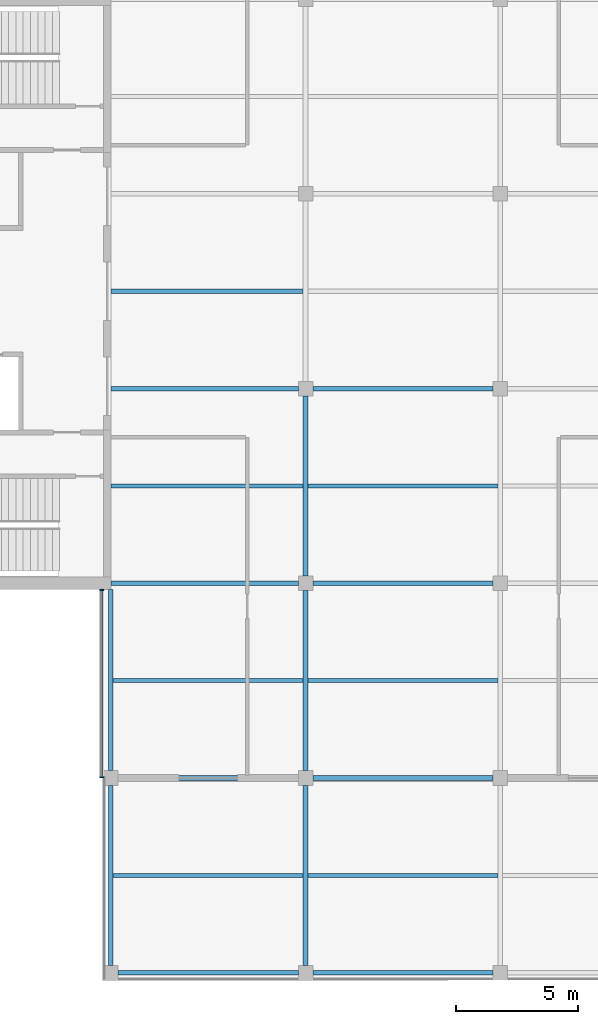
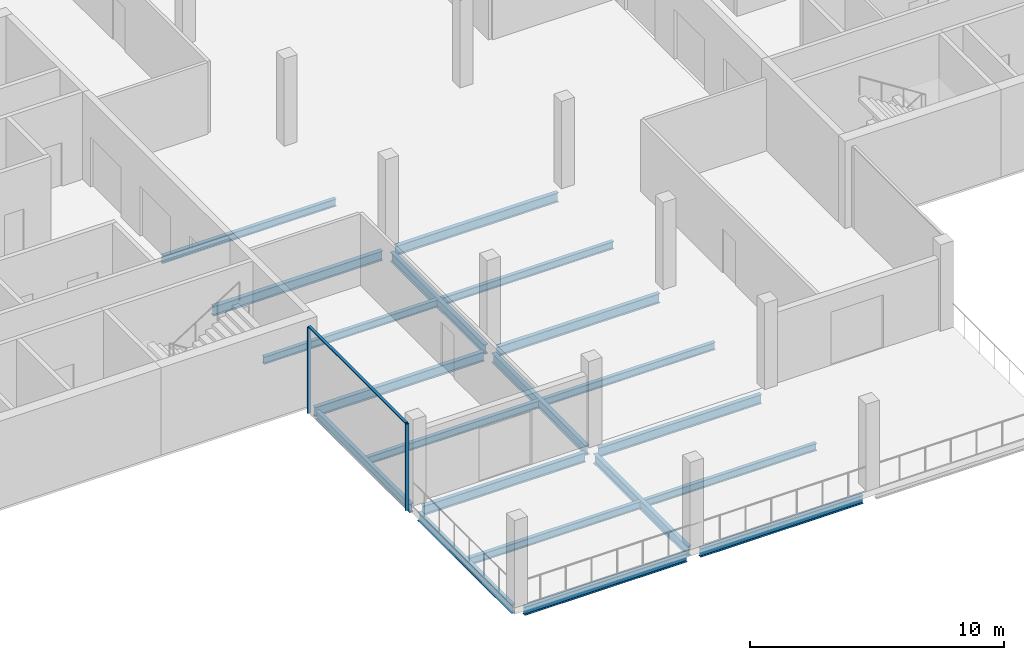
# One storey, part 2 of 12: 20 beams, 3 members, 1 element without a shape of its own.
"""IFC4 building model written with IfcOpenShell, lengths in metres."""

from ifc_helpers import new_model, si_unit, direction, frame, origin, origin_2d, place, context, subcontext, project, spatial, rectangle, i_section, extrude, material, material_profile, profile_set, type_object, element, aggregate, save


model = new_model("IFC4")

# Units and contexts
model_context = context("Model", 3, precision=1e-05, world=origin(), true_north=direction((0.0, 1.0)))
body_context = subcontext(model_context, "Body", "Model", "MODEL_VIEW")
ifc_project = project(units=[si_unit("LENGTHUNIT", "METRE"), si_unit("AREAUNIT", "SQUARE_METRE"), si_unit("VOLUMEUNIT", "CUBIC_METRE"), si_unit("PLANEANGLEUNIT", "RADIAN"), si_unit("MASSUNIT", "GRAM", prefix="KILO")], contexts=[model_context])

# Site, building, storey
site_placement = place(None, origin())
site = spatial("IfcSite", under=ifc_project, at=site_placement, CompositionType="ELEMENT")
building_placement = place(site_placement, origin())
building = spatial("IfcBuilding", under=site, at=building_placement, Name="Crosswind Convention Tower", CompositionType="ELEMENT")
storey_placement = place(building_placement, frame((0.0, 0.0, 323.89990234375)))
storey = spatial("IfcBuildingStorey", under=building, at=storey_placement, Name="L70", CompositionType="ELEMENT", Elevation=323.89990234375)

# Beams
ifc_material_1 = material(Name="Steel S355", Category="steel")
ifc_material_profile_1 = material_profile(ifc_material_1, i_section(OverallWidth=0.177734375, OverallDepth=0.406494140625, WebThickness=0.0078125, FlangeThickness=0.0126953125, FilletRadius=0.01025390625, at=origin_2d()), Name="UB 406x178x60")
ifc_profile_set_1 = profile_set([ifc_material_profile_1], Name="Steel S355")
beam_type_1 = type_object("IfcBeamType", Name="Edge beam UB 406x178x60", PredefinedType="SPANDREL", material=ifc_profile_set_1)
beam_1_placement = place(storey_placement, frame((113.0, 72.300048828125, -0.503173828125), z_axis=(0.0, 1.0, 0.0), x_axis=(-1.0, 0.0, 0.0)))
element("IfcBeam", 1, at=beam_1_placement, inside=storey, type_object=beam_type_1, Name="B15 L70 edge beam 1", PredefinedType="SPANDREL", context=body_context, shape_type="SweptSolid", body=[
    extrude(i_section(OverallWidth=0.177734375, OverallDepth=0.406494140625, WebThickness=0.0078125, FlangeThickness=0.0126953125, FilletRadius=0.01025390625, at=origin_2d()), origin(), (0.0, 0.0, 1.0), 7.39990234375),
])
beam_2_placement = place(storey_placement, frame((113.0, 80.300048828125, -0.503173828125), z_axis=(0.0, 1.0, 0.0), x_axis=(-1.0, 0.0, 0.0)))
element("IfcBeam", 2, at=beam_2_placement, inside=storey, type_object=beam_type_1, Name="B15 L70 edge beam 2", PredefinedType="SPANDREL", context=body_context, shape_type="SweptSolid", body=[
    extrude(i_section(OverallWidth=0.177734375, OverallDepth=0.406494140625, WebThickness=0.0078125, FlangeThickness=0.0126953125, FilletRadius=0.01025390625, at=origin_2d()), origin(), (0.0, 0.0, 1.0), 7.449951171875),
])
for number, where, z_axis, x_axis, name in (
    (3, (113.300048828125, 72.0, -0.503173828125), (1.0, 0.0, 0.0), (0.0, 1.0, 0.0), "B15 L70 edge beam 5"),
    (4, (121.300048828125, 72.0, -0.503173828125), (1.0, 0.0, 0.0), (0.0, 1.0, 0.0), "B15 L70 edge beam 7"),
):
    element("IfcBeam", number, at=place(storey_placement, frame(where, z_axis=z_axis, x_axis=x_axis)), inside=storey, type_object=beam_type_1, Name=name, PredefinedType="SPANDREL", context=body_context, shape_type="SweptSolid", body=[
        extrude(i_section(OverallWidth=0.177734375, OverallDepth=0.406494140625, WebThickness=0.0078125, FlangeThickness=0.0126953125, FilletRadius=0.01025390625, at=origin_2d()), origin(), (0.0, 0.0, 1.0), 7.39990234375),
    ])
ifc_material_profile_2 = material_profile(ifc_material_1, i_section(OverallWidth=0.18994140625, OverallDepth=0.45361328125, WebThickness=0.008544921875, FlangeThickness=0.0126953125, FilletRadius=0.01025390625, at=origin_2d()), Name="UB 457x191x67")
ifc_profile_set_2 = profile_set([ifc_material_profile_2], Name="Steel S355")
beam_type_2 = type_object("IfcBeamType", Name="Girder UB 457x191x67", PredefinedType="BEAM", material=ifc_profile_set_2)
for number, where, z_axis, x_axis, name in (
    (5, (113.300048828125, 80.0, -0.526611328125), (1.0, 0.0, 0.0), (0.0, 1.0, 0.0), "B1 L70 girder 1"),
    (6, (121.0, 72.300048828125, -0.526611328125), (0.0, 1.0, 0.0), (-1.0, 0.0, 0.0), "B1 L70 girder 3"),
    (7, (121.0, 80.300048828125, -0.526611328125), (0.0, 1.0, 0.0), (-1.0, 0.0, 0.0), "B1 L70 girder 4"),
    (8, (121.0, 88.300048828125, -0.526611328125), (0.0, 1.0, 0.0), (-1.0, 0.0, 0.0), "B1 L70 girder 5"),
    (9, (121.300048828125, 80.0, -0.526611328125), (1.0, 0.0, 0.0), (0.0, 1.0, 0.0), "B1 L70 girder 10"),
    (10, (121.300048828125, 88.0, -0.526611328125), (1.0, 0.0, 0.0), (0.0, 1.0, 0.0), "B1 L70 girder 11"),
    (11, (121.300048828125, 96.0, -0.526611328125), (1.0, 0.0, 0.0), (0.0, 1.0, 0.0), "B1 L70 girder 12"),
):
    element("IfcBeam", number, at=place(storey_placement, frame(where, z_axis=z_axis, x_axis=x_axis)), inside=storey, type_object=beam_type_2, Name=name, PredefinedType="BEAM", context=body_context, shape_type="SweptSolid", body=[
        extrude(i_section(OverallWidth=0.18994140625, OverallDepth=0.45361328125, WebThickness=0.008544921875, FlangeThickness=0.0126953125, FilletRadius=0.01025390625, at=origin_2d()), origin(), (0.0, 0.0, 1.0), 7.39990234375),
    ])
ifc_material_profile_3 = material_profile(ifc_material_1, i_section(OverallWidth=0.1904296875, OverallDepth=0.457275390625, WebThickness=0.009033203125, FlangeThickness=0.014404296875, FilletRadius=0.01025390625, at=origin_2d()), Name="UB 457x191x75")
ifc_profile_set_3 = profile_set([ifc_material_profile_3], Name="Steel S355")
beam_type_3 = type_object("IfcBeamType", Name="Girder at core wall UB 457x191x75", PredefinedType="BEAM", material=ifc_profile_set_3)
for number, where, z_axis, x_axis, name in (
    (12, (113.0, 88.0, -0.528564453125), (1.0, 0.0, 0.0), (0.0, 1.0, 0.0), "B22 L70 girder at core wall 1"),
    (13, (113.0, 96.0, -0.528564453125), (1.0, 0.0, 0.0), (0.0, 1.0, 0.0), "B22 L70 girder at core wall 2"),
):
    element("IfcBeam", number, at=place(storey_placement, frame(where, z_axis=z_axis, x_axis=x_axis)), inside=storey, type_object=beam_type_3, Name=name, PredefinedType="BEAM", context=body_context, shape_type="SweptSolid", body=[
        extrude(i_section(OverallWidth=0.1904296875, OverallDepth=0.457275390625, WebThickness=0.009033203125, FlangeThickness=0.014404296875, FilletRadius=0.01025390625, at=origin_2d()), origin(), (0.0, 0.0, 1.0), 7.699951171875),
    ])

# Curtain wall, members
ifc_material_2 = material(Name="Aluminium unitised curtain wall", Category="aluminium")
curtain_wall_type = type_object("IfcCurtainWallType", Name="CORE END SLOT WALL 160", PredefinedType="USERDEFINED", material=ifc_material_2)
curtain_wall_placement = place(storey_placement, origin())
curtain_wall = element("IfcCurtainWall", 14, at=curtain_wall_placement, inside=storey, type_object=curtain_wall_type, Name="CW6 L70 S-W.1-1 slot", ObjectType="UNITISED", PredefinedType="USERDEFINED")
ifc_material_3 = material(Name="Aluminium mullion", Category="aluminium")
ifc_material_profile_4 = material_profile(ifc_material_3, rectangle(XDim=0.159912109375, YDim=0.050048828125, at=origin_2d()), Name="AL 160X50")
ifc_profile_set_4 = profile_set([ifc_material_profile_4], Name="Aluminium mullion")
member_type_1 = type_object("IfcMemberType", Name="MULLION 50X160", PredefinedType="MULLION", material=ifc_profile_set_4)
member_1_placement = place(storey_placement, frame((112.6201171875, 87.72509765625, -0.2998046875), z_axis=(0.0, 0.0, 1.0), x_axis=(-1.0, 0.0, 0.0)))
member_1 = element("IfcMember", 15, at=member_1_placement, type_object=member_type_1, Name="CW6 mullion 1", PredefinedType="MULLION", context=body_context, shape_type="SweptSolid", body=[
    extrude(rectangle(XDim=0.159912109375, YDim=0.050048828125, at=origin_2d()), origin(), (0.0, 0.0, 1.0), 4.14990234375),
])
member_2_placement = place(storey_placement, frame((112.6201171875, 80.02490234375, -0.2998046875), z_axis=(0.0, 0.0, 1.0), x_axis=(-1.0, 0.0, 0.0)))
member_2 = element("IfcMember", 16, at=member_2_placement, type_object=member_type_1, Name="CW6 mullion 2", PredefinedType="MULLION", context=body_context, shape_type="SweptSolid", body=[
    extrude(rectangle(XDim=0.159912109375, YDim=0.050048828125, at=origin_2d()), origin(), (0.0, 0.0, 1.0), 4.14990234375),
])

# Beams
ifc_material_profile_5 = material_profile(ifc_material_1, i_section(OverallWidth=0.17138671875, OverallDepth=0.355712890625, WebThickness=0.00732421875, FlangeThickness=0.011474609375, FilletRadius=0.01025390625, at=origin_2d()), Name="UB 356x171x51")
ifc_profile_set_5 = profile_set([ifc_material_profile_5], Name="Steel S355")
beam_type_4 = type_object("IfcBeamType", Name="Secondary beam UB 356x171x51", PredefinedType="JOIST", material=ifc_profile_set_5)
for number, where, z_axis, x_axis, name in (
    (17, (113.0, 92.0, -0.477783203125), (1.0, 0.0, 0.0), (0.0, 1.0, 0.0), "B8 L70 secondary beam 1"),
    (18, (113.0, 100.0, -0.477783203125), (1.0, 0.0, 0.0), (0.0, 1.0, 0.0), "B8 L70 secondary beam 2"),
):
    element("IfcBeam", number, at=place(storey_placement, frame(where, z_axis=z_axis, x_axis=x_axis)), inside=storey, type_object=beam_type_4, Name=name, PredefinedType="JOIST", context=body_context, shape_type="SweptSolid", body=[
        extrude(i_section(OverallWidth=0.17138671875, OverallDepth=0.355712890625, WebThickness=0.00732421875, FlangeThickness=0.011474609375, FilletRadius=0.01025390625, at=origin_2d()), origin(), (0.0, 0.0, 1.0), 7.905029296875),
    ])
for number, where, z_axis, x_axis, name in (
    (19, (113.0888671875, 76.0, -0.477783203125), (1.0, 0.0, 0.0), (0.0, 1.0, 0.0), "B8 L70 secondary beam 4"),
    (20, (113.0888671875, 84.0, -0.477783203125), (1.0, 0.0, 0.0), (0.0, 1.0, 0.0), "B8 L70 secondary beam 5"),
):
    element("IfcBeam", number, at=place(storey_placement, frame(where, z_axis=z_axis, x_axis=x_axis)), inside=storey, type_object=beam_type_4, Name=name, PredefinedType="JOIST", context=body_context, shape_type="SweptSolid", body=[
        extrude(i_section(OverallWidth=0.17138671875, OverallDepth=0.355712890625, WebThickness=0.00732421875, FlangeThickness=0.011474609375, FilletRadius=0.01025390625, at=origin_2d()), origin(), (0.0, 0.0, 1.0), 7.816162109375),
    ])
for number, where, z_axis, x_axis, name in (
    (21, (121.094970703125, 76.0, -0.477783203125), (1.0, 0.0, 0.0), (0.0, 1.0, 0.0), "B8 L70 secondary beam 8"),
    (22, (121.094970703125, 84.0, -0.477783203125), (1.0, 0.0, 0.0), (0.0, 1.0, 0.0), "B8 L70 secondary beam 9"),
    (23, (121.094970703125, 92.0, -0.477783203125), (1.0, 0.0, 0.0), (0.0, 1.0, 0.0), "B8 L70 secondary beam 10"),
):
    element("IfcBeam", number, at=place(storey_placement, frame(where, z_axis=z_axis, x_axis=x_axis)), inside=storey, type_object=beam_type_4, Name=name, PredefinedType="JOIST", context=body_context, shape_type="SweptSolid", body=[
        extrude(i_section(OverallWidth=0.17138671875, OverallDepth=0.355712890625, WebThickness=0.00732421875, FlangeThickness=0.011474609375, FilletRadius=0.01025390625, at=origin_2d()), origin(), (0.0, 0.0, 1.0), 7.81005859375),
    ])

# Member
ifc_material_4 = material(Name="Aluminium transom", Category="aluminium")
ifc_material_profile_6 = material_profile(ifc_material_4, rectangle(XDim=0.1201171875, YDim=0.050048828125, at=origin_2d()), Name="AL 120X50")
ifc_profile_set_6 = profile_set([ifc_material_profile_6], Name="Aluminium transom")
member_type_2 = type_object("IfcMemberType", Name="TRANSOM 50X120", PredefinedType="USERDEFINED", material=ifc_profile_set_6)
member_3_placement = place(storey_placement, frame((112.6201171875, 87.699951171875, 3.875), z_axis=(0.0, -1.0, 0.0), x_axis=(1.0, 0.0, 0.0)))
member_3 = element("IfcMember", 24, at=member_3_placement, type_object=member_type_2, Name="CW6 transom", ObjectType="TRANSOM", PredefinedType="USERDEFINED", context=body_context, shape_type="SweptSolid", body=[
    extrude(rectangle(XDim=0.1201171875, YDim=0.050048828125, at=origin_2d()), origin(), (0.0, 0.0, 1.0), 7.64990234375),
])

aggregate(curtain_wall, [member_1, member_2, member_3])

save(model, "model.ifc")
